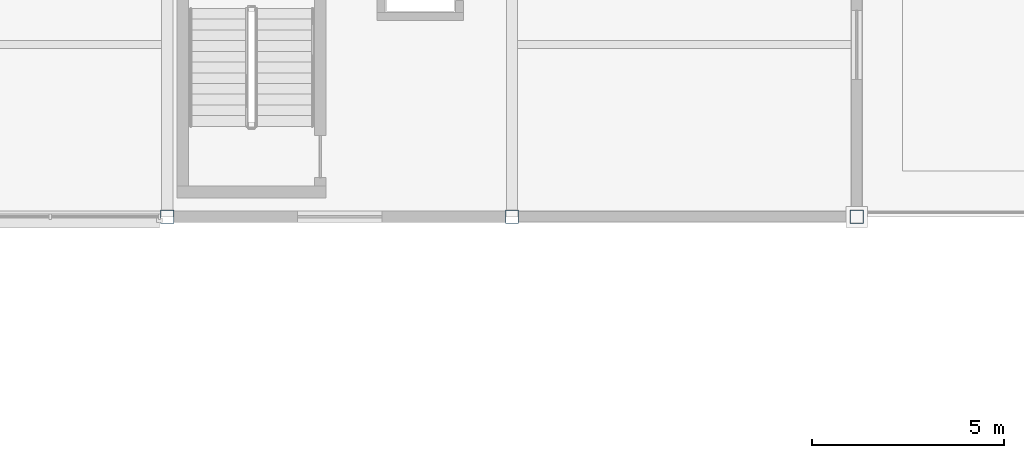
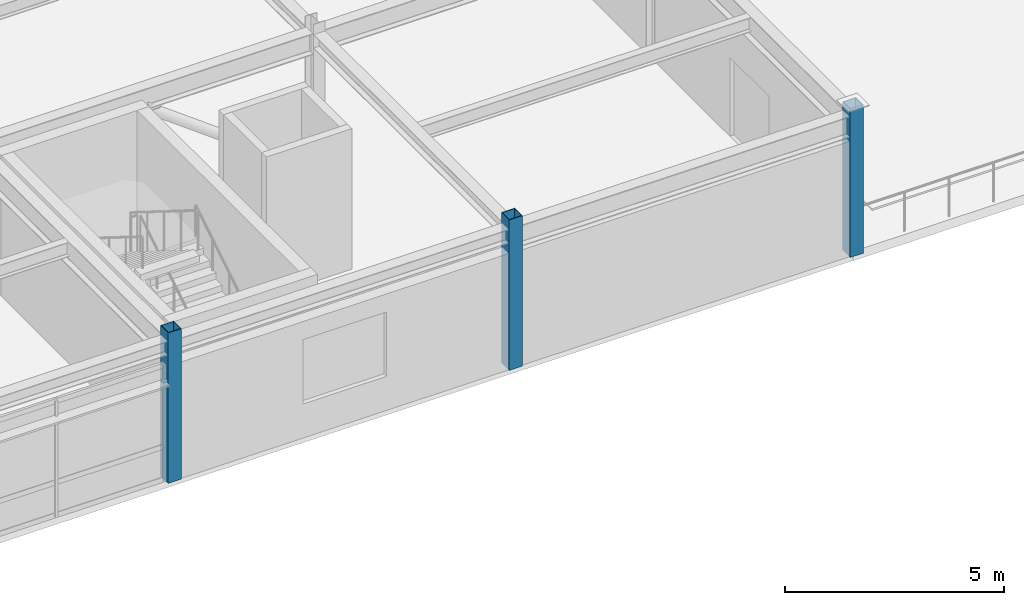
# One storey, part 3 of 53: 3 columns.
"""IFC4 building model written with IfcOpenShell, lengths in metres."""

from ifc_helpers import new_model, si_unit, direction, frame, origin, origin_2d, place, context, subcontext, project, spatial, hollow_rectangle, extrude, material, material_profile, profile_set, type_object, element, save


model = new_model("IFC4")

# Units and contexts
model_context = context("Model", 3, precision=1e-05, world=origin(), true_north=direction((0.0, 1.0)))
body_context = subcontext(model_context, "Body", "Model", "MODEL_VIEW")
ifc_project = project(units=[si_unit("LENGTHUNIT", "METRE"), si_unit("AREAUNIT", "SQUARE_METRE"), si_unit("VOLUMEUNIT", "CUBIC_METRE"), si_unit("PLANEANGLEUNIT", "RADIAN"), si_unit("MASSUNIT", "GRAM", prefix="KILO")], contexts=[model_context])

# Site, building, storey
site_placement = place(None, origin())
site = spatial("IfcSite", under=ifc_project, at=site_placement, CompositionType="ELEMENT")
building_placement = place(site_placement, origin())
building = spatial("IfcBuilding", under=site, at=building_placement, Name="Suzunagisa Mobility Hub", CompositionType="ELEMENT")
storey_placement = place(building_placement, frame((0.0, 0.0, 17.699951171875)))
storey = spatial("IfcBuildingStorey", under=building, at=storey_placement, Name="L04", CompositionType="ELEMENT", Elevation=17.699951171875)

# Columns
ifc_material = material(Name="Steel SN490B", Category="steel")
ifc_material_profile = material_profile(ifc_material, hollow_rectangle(XDim=0.35009765625, YDim=0.35009765625, WallThickness=0.01611328125, at=origin_2d()), Name="BCR-350x350x16")
ifc_profile_set = profile_set([ifc_material_profile], Name="Steel SN490B")
column_type = type_object("IfcColumnType", Name="Steel Column CL-04 BCR-350x350x16", PredefinedType="COLUMN", material=ifc_profile_set)
for number, where, z_axis, x_axis, name in (
    (1, (90.0, 80.0, 0.0), (0.0, 0.0, 1.0), (1.0, 0.0, 0.0), "L04 Column 186"),
    (2, (99.0, 80.0, 0.0), (0.0, 0.0, 1.0), (1.0, 0.0, 0.0), "L04 Column 195"),
):
    element("IfcColumn", number, at=place(storey_placement, frame(where, z_axis=z_axis, x_axis=x_axis)), inside=storey, type_object=column_type, Name=name, PredefinedType="COLUMN", context=body_context, shape_type="SweptSolid", body=[
        extrude(hollow_rectangle(XDim=0.35009765625, YDim=0.35009765625, WallThickness=0.01611328125, at=origin_2d()), origin(), (0.0, 0.0, 1.0), 4.199951171875),
    ])
column_placement = place(storey_placement, frame((108.0, 80.0, 0.0), z_axis=(0.0, 0.0, 1.0), x_axis=(1.0, 0.0, 0.0)))
element("IfcColumn", 3, at=column_placement, inside=storey, type_object=column_type, Name="L04 Column 204", PredefinedType="COLUMN", context=body_context, shape_type="SweptSolid", body=[
    extrude(hollow_rectangle(XDim=0.35009765625, YDim=0.35009765625, WallThickness=0.01611328125, at=origin_2d()), origin(), (0.0, 0.0, 1.0), 4.14013671875),
])

save(model, "model.ifc")
